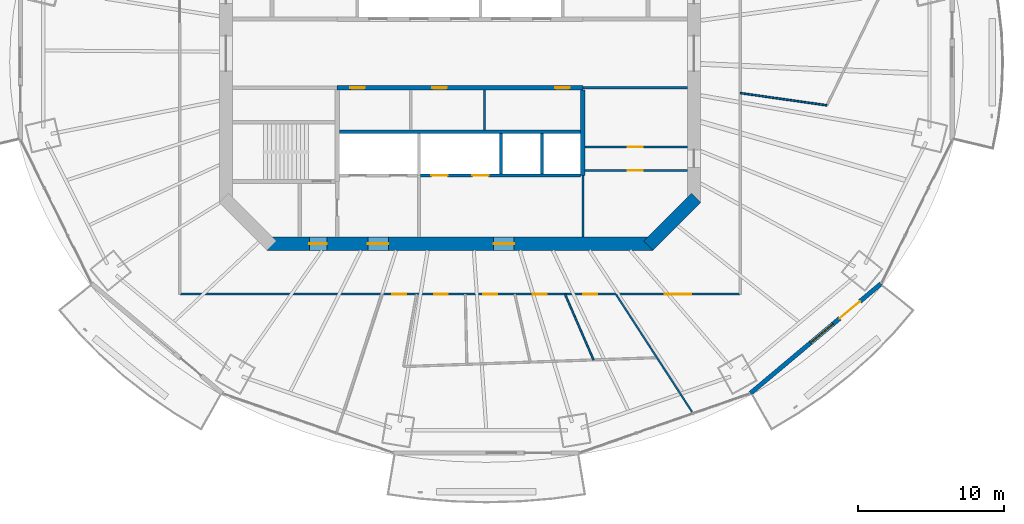
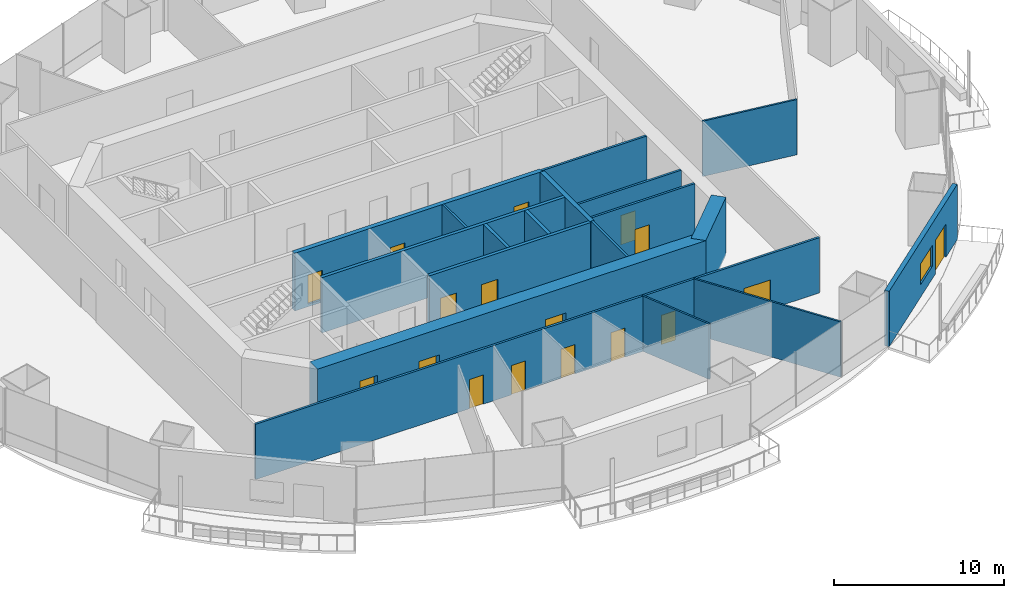
# One storey, part 12 of 20: 18 walls, 17 doors, 1 window, 18 openings.
"""IFC4 building model written with IfcOpenShell, lengths in metres."""

from ifc_helpers import new_model, si_unit, direction, frame, frame_2d, origin, place, context, subcontext, project, spatial, rectangle, extrude, material, layer, layer_set, type_object, element, fill, save


model = new_model("IFC4")

# Units and contexts
model_context = context("Model", 3, precision=1e-05, world=origin(), true_north=direction((0.0, 1.0)))
body_context = subcontext(model_context, "Body", "Model", "MODEL_VIEW")
ifc_project = project(units=[si_unit("LENGTHUNIT", "METRE"), si_unit("AREAUNIT", "SQUARE_METRE"), si_unit("VOLUMEUNIT", "CUBIC_METRE"), si_unit("PLANEANGLEUNIT", "RADIAN"), si_unit("MASSUNIT", "GRAM", prefix="KILO")], contexts=[model_context])

# Site, building, storey
site_placement = place(None, origin())
site = spatial("IfcSite", under=ifc_project, at=site_placement, CompositionType="ELEMENT")
building_placement = place(site_placement, origin())
building = spatial("IfcBuilding", under=site, at=building_placement, Name="Marenthal Gate Tower", CompositionType="ELEMENT")
storey_placement = place(building_placement, frame((0.0, 0.0, 177.64990234375)))
storey = spatial("IfcBuildingStorey", under=building, at=storey_placement, Name="L38", CompositionType="ELEMENT", Elevation=177.64990234375)

# Wall
ifc_material_1 = material(Name="Concrete 60 MPa", Category="concrete")
ifc_layer_1 = layer(ifc_material_1, 0.89990234375)
ifc_layer_set_1 = layer_set([ifc_layer_1], Name="Core shear wall 900")
wall_type_1 = type_object("IfcWallType", Name="Core shear wall 900", PredefinedType="SHEAR", material=ifc_layer_set_1)
wall_1_placement = place(storey_placement, frame((12.8681640625, -13.1318359375, -0.179931640625), z_axis=(0.0, 0.0, 1.0), x_axis=(0.707106781187, 0.707106781187, 0.0)))
element("IfcWall", 1, at=wall_1_placement, inside=storey, type_object=wall_type_1, Name="Core wall 01", PredefinedType="SHEAR", context=body_context, shape_type="SweptSolid", body=[
    extrude(rectangle(XDim=4.615478515625, YDim=0.89990234375, at=frame_2d((2.3076171875, 0.0))), origin(), (0.0, 0.0, 1.0), 4.150146484375),
])

# Wall, openings, doors
wall_2_placement = place(storey_placement, frame((-13.186279296875, -13.0, -0.179931640625), z_axis=(0.0, 0.0, 1.0), x_axis=(1.0, 0.0, 0.0)))
wall_2 = element("IfcWall", 2, at=wall_2_placement, inside=storey, type_object=wall_type_1, Name="Core wall 08", PredefinedType="SHEAR", context=body_context, shape_type="SweptSolid", body=[
    extrude(rectangle(XDim=26.37255859375, YDim=0.89990234375, at=frame_2d((13.186279296875, 0.0))), origin(), (0.0, 0.0, 1.0), 4.150146484375),
])
opening_1_placement = place(wall_2_placement, frame((2.886474609375, 0.0, 0.179931640625)))
opening_1 = element("IfcOpeningElement", 3, at=opening_1_placement, cuts=wall_2, Name="Opening D001.06", PredefinedType="OPENING", context=body_context, shape_type="SweptSolid", body=[
    extrude(rectangle(XDim=1.199951171875, YDim=2.10009765625, at=frame_2d((0.60009765625, 1.050048828125))), frame((0.0, 0.4599609375, 0.0), z_axis=(0.0, -1.0, 0.0), x_axis=(1.0, 0.0, 0.0)), (0.0, 0.0, 1.0), 0.919921875),
])
opening_2_placement = place(wall_2_placement, frame((6.886474609375, 0.0, 0.179931640625)))
opening_2 = element("IfcOpeningElement", 4, at=opening_2_placement, cuts=wall_2, Name="Opening D004.01", PredefinedType="OPENING", context=body_context, shape_type="SweptSolid", body=[
    extrude(rectangle(XDim=1.39990234375, YDim=2.10009765625, at=frame_2d((0.699951171875, 1.050048828125))), frame((0.0, 0.4599609375, 0.0), z_axis=(0.0, -1.0, 0.0), x_axis=(1.0, 0.0, 0.0)), (0.0, 0.0, 1.0), 0.919921875),
])
opening_3_placement = place(wall_2_placement, frame((15.486328125, 0.0, 0.179931640625)))
opening_3 = element("IfcOpeningElement", 5, at=opening_3_placement, cuts=wall_2, Name="Opening D004.02", PredefinedType="OPENING", context=body_context, shape_type="SweptSolid", body=[
    extrude(rectangle(XDim=1.39990234375, YDim=2.10009765625, at=frame_2d((0.699951171875, 1.050048828125))), frame((0.0, 0.4599609375, 0.0), z_axis=(0.0, -1.0, 0.0), x_axis=(1.0, 0.0, 0.0)), (0.0, 0.0, 1.0), 0.919921875),
])
ifc_material_2 = material(Name="Steel fire door", Category="steel")
door_type_1 = type_object("IfcDoorType", Name="Fire door FD 45 1400 x 2100", OperationType="NOTDEFINED", PredefinedType="DOOR", material=ifc_material_2)
door_1_placement = place(opening_2_placement, origin())
door_1 = element("IfcDoor", 6, at=door_1_placement, inside=storey, type_object=door_type_1, Name="Door D004.01", OperationType="SINGLE_SWING_RIGHT", OverallHeight=2.10009765625, OverallWidth=1.39990234375, PredefinedType="DOOR", context=body_context, shape_type="SweptSolid", body=[
    extrude(rectangle(XDim=1.39990234375, YDim=2.10009765625, at=frame_2d((0.699951171875, 1.050048828125))), frame((0.0, 0.02490234375, 0.0), z_axis=(0.0, -1.0, 0.0), x_axis=(1.0, 0.0, 0.0)), (0.0, 0.0, 1.0), 0.050048828125),
])
fill(opening_2, door_1)
door_2_placement = place(opening_3_placement, origin())
door_2 = element("IfcDoor", 7, at=door_2_placement, inside=storey, type_object=door_type_1, Name="Door D004.02", OperationType="SINGLE_SWING_RIGHT", OverallHeight=2.10009765625, OverallWidth=1.39990234375, PredefinedType="DOOR", context=body_context, shape_type="SweptSolid", body=[
    extrude(rectangle(XDim=1.39990234375, YDim=2.10009765625, at=frame_2d((0.699951171875, 1.050048828125))), frame((0.0, 0.02490234375, 0.0), z_axis=(0.0, -1.0, 0.0), x_axis=(1.0, 0.0, 0.0)), (0.0, 0.0, 1.0), 0.050048828125),
])
fill(opening_3, door_2)
ifc_material_3 = material(Name="Steel fire door", Category="steel")
door_type_2 = type_object("IfcDoorType", Name="Fire door FD 90 1200 x 2100", OperationType="NOTDEFINED", PredefinedType="DOOR", material=ifc_material_3)
door_3_placement = place(opening_1_placement, origin())
door_3 = element("IfcDoor", 8, at=door_3_placement, inside=storey, type_object=door_type_2, Name="Door D001.06", OperationType="SINGLE_SWING_RIGHT", OverallHeight=2.10009765625, OverallWidth=1.199951171875, PredefinedType="DOOR", context=body_context, shape_type="SweptSolid", body=[
    extrude(rectangle(XDim=1.199951171875, YDim=2.10009765625, at=frame_2d((0.60009765625, 1.050048828125))), frame((0.0, 0.02490234375, 0.0), z_axis=(0.0, -1.0, 0.0), x_axis=(1.0, 0.0, 0.0)), (0.0, 0.0, 1.0), 0.050048828125),
])
fill(opening_1, door_3)

ifc_material_4 = material(Name="Concrete 50 MPa", Category="concrete")
ifc_layer_2 = layer(ifc_material_4, 0.300048828125)
ifc_layer_set_2 = layer_set([ifc_layer_2], Name="Hoistway shear wall 300")
wall_type_2 = type_object("IfcWallType", Name="Hoistway shear wall 300", PredefinedType="SHEAR", material=ifc_layer_set_2)
wall_3_placement = place(storey_placement, frame((-8.39990234375, -2.35009765625, -0.179931640625), z_axis=(0.0, 0.0, 1.0), x_axis=(1.0, 0.0, 0.0)))
wall_3 = element("IfcWall", 9, at=wall_3_placement, inside=storey, type_object=wall_type_2, Name="Hoistway wall 17", PredefinedType="SHEAR", context=body_context, shape_type="SweptSolid", body=[
    extrude(rectangle(XDim=16.7998046875, YDim=0.300048828125, at=frame_2d((8.39990234375, 0.0))), origin(), (0.0, 0.0, 1.0), 4.150146484375),
])
opening_4_placement = place(wall_3_placement, frame((0.89990234375, 0.0, 0.179931640625)))
opening_4 = element("IfcOpeningElement", 10, at=opening_4_placement, cuts=wall_3, Name="Opening D005.01", PredefinedType="OPENING", context=body_context, shape_type="SweptSolid", body=[
    extrude(rectangle(XDim=1.0, YDim=2.10009765625, at=frame_2d((0.5, 1.050048828125))), frame((0.0, 0.16015625, 0.0), z_axis=(0.0, -1.0, 0.0), x_axis=(1.0, 0.0, 0.0)), (0.0, 0.0, 1.0), 0.320068359375),
])
opening_5_placement = place(wall_3_placement, frame((6.5, 0.0, 0.179931640625)))
opening_5 = element("IfcOpeningElement", 11, at=opening_5_placement, cuts=wall_3, Name="Opening D005.02", PredefinedType="OPENING", context=body_context, shape_type="SweptSolid", body=[
    extrude(rectangle(XDim=1.0, YDim=2.10009765625, at=frame_2d((0.5, 1.050048828125))), frame((0.0, 0.16015625, 0.0), z_axis=(0.0, -1.0, 0.0), x_axis=(1.0, 0.0, 0.0)), (0.0, 0.0, 1.0), 0.320068359375),
])
opening_6_placement = place(wall_3_placement, frame((14.89990234375, 0.0, 0.179931640625)))
opening_6 = element("IfcOpeningElement", 12, at=opening_6_placement, cuts=wall_3, Name="Opening D005.03", PredefinedType="OPENING", context=body_context, shape_type="SweptSolid", body=[
    extrude(rectangle(XDim=1.0, YDim=2.10009765625, at=frame_2d((0.5, 1.050048828125))), frame((0.0, 0.16015625, 0.0), z_axis=(0.0, -1.0, 0.0), x_axis=(1.0, 0.0, 0.0)), (0.0, 0.0, 1.0), 0.320068359375),
])
ifc_material_5 = material(Name="Steel fire door", Category="steel")
door_type_3 = type_object("IfcDoorType", Name="Fire door FD 45 1000 x 2100", OperationType="NOTDEFINED", PredefinedType="DOOR", material=ifc_material_5)
door_4_placement = place(opening_4_placement, frame((1.0, 0.0, 0.0), z_axis=(0.0, 0.0, 1.0), x_axis=(-1.0, 0.0, 0.0)))
door_4 = element("IfcDoor", 13, at=door_4_placement, inside=storey, type_object=door_type_3, Name="Door D005.01", OperationType="SINGLE_SWING_LEFT", OverallHeight=2.10009765625, OverallWidth=1.0, PredefinedType="DOOR", context=body_context, shape_type="SweptSolid", body=[
    extrude(rectangle(XDim=1.0, YDim=2.10009765625, at=frame_2d((0.5, 1.050048828125))), frame((0.0, 0.02490234375, 0.0), z_axis=(0.0, -1.0, 0.0), x_axis=(1.0, 0.0, 0.0)), (0.0, 0.0, 1.0), 0.050048828125),
])
fill(opening_4, door_4)
door_5_placement = place(opening_5_placement, frame((1.0, 0.0, 0.0), z_axis=(0.0, 0.0, 1.0), x_axis=(-1.0, 0.0, 0.0)))
door_5 = element("IfcDoor", 14, at=door_5_placement, inside=storey, type_object=door_type_3, Name="Door D005.02", OperationType="SINGLE_SWING_LEFT", OverallHeight=2.10009765625, OverallWidth=1.0, PredefinedType="DOOR", context=body_context, shape_type="SweptSolid", body=[
    extrude(rectangle(XDim=1.0, YDim=2.10009765625, at=frame_2d((0.5, 1.050048828125))), frame((0.0, 0.02490234375, 0.0), z_axis=(0.0, -1.0, 0.0), x_axis=(1.0, 0.0, 0.0)), (0.0, 0.0, 1.0), 0.050048828125),
])
fill(opening_5, door_5)
door_6_placement = place(opening_6_placement, frame((1.0, 0.0, 0.0), z_axis=(0.0, 0.0, 1.0), x_axis=(-1.0, 0.0, 0.0)))
door_6 = element("IfcDoor", 15, at=door_6_placement, inside=storey, type_object=door_type_3, Name="Door D005.03", OperationType="SINGLE_SWING_LEFT", OverallHeight=2.10009765625, OverallWidth=1.0, PredefinedType="DOOR", context=body_context, shape_type="SweptSolid", body=[
    extrude(rectangle(XDim=1.0, YDim=2.10009765625, at=frame_2d((0.5, 1.050048828125))), frame((0.0, 0.02490234375, 0.0), z_axis=(0.0, -1.0, 0.0), x_axis=(1.0, 0.0, 0.0)), (0.0, 0.0, 1.0), 0.050048828125),
])
fill(opening_6, door_6)

# Wall
wall_4_placement = place(storey_placement, frame((8.39990234375, -8.35009765625, -0.179931640625), z_axis=(0.0, 0.0, 1.0), x_axis=(0.0, 1.0, 0.0)))
element("IfcWall", 16, at=wall_4_placement, inside=storey, type_object=wall_type_2, Name="Hoistway wall 46", PredefinedType="SHEAR", context=body_context, shape_type="SweptSolid", body=[
    extrude(rectangle(XDim=5.85009765625, YDim=0.300048828125, at=frame_2d((2.925048828125, 0.0))), origin(), (0.0, 0.0, 1.0), 4.150146484375),
])

# Wall, openings, doors
ifc_material_6 = material(Name="Concrete 40 MPa", Category="concrete")
ifc_layer_3 = layer(ifc_material_6, 0.219970703125)
ifc_layer_set_3 = layer_set([ifc_layer_3], Name="Hoistway wall 220")
wall_type_3 = type_object("IfcWallType", Name="Hoistway wall 220", PredefinedType="STANDARD", material=ifc_layer_set_3)
wall_5_placement = place(storey_placement, frame((-2.68994140625, -8.35009765625, 0.0), z_axis=(0.0, 0.0, 1.0), x_axis=(1.0, 0.0, 0.0)))
wall_5 = element("IfcWall", 17, at=wall_5_placement, inside=storey, type_object=wall_type_3, Name="Hoistway wall 11", PredefinedType="STANDARD", context=body_context, shape_type="SweptSolid", body=[
    extrude(rectangle(XDim=10.93994140625, YDim=0.219970703125, at=frame_2d((5.469970703125, 0.0))), origin(), (0.0, 0.0, 1.0), 3.97021484375),
])
opening_7_placement = place(wall_5_placement, frame((0.739990234375, 0.0, 0.0)))
opening_7 = element("IfcOpeningElement", 18, at=opening_7_placement, cuts=wall_5, Name="Opening LD-SV1", PredefinedType="OPENING", context=body_context, shape_type="SweptSolid", body=[
    extrude(rectangle(XDim=1.10009765625, YDim=2.10009765625, at=frame_2d((0.550048828125, 1.050048828125))), frame((0.0, 0.1201171875, 0.0), z_axis=(0.0, -1.0, 0.0), x_axis=(1.0, 0.0, 0.0)), (0.0, 0.0, 1.0), 0.239990234375),
])
opening_8_placement = place(wall_5_placement, frame((3.5400390625, 0.0, 0.0)))
opening_8 = element("IfcOpeningElement", 19, at=opening_8_placement, cuts=wall_5, Name="Opening LD-SV2", PredefinedType="OPENING", context=body_context, shape_type="SweptSolid", body=[
    extrude(rectangle(XDim=1.10009765625, YDim=2.10009765625, at=frame_2d((0.550048828125, 1.050048828125))), frame((0.0, 0.1201171875, 0.0), z_axis=(0.0, -1.0, 0.0), x_axis=(1.0, 0.0, 0.0)), (0.0, 0.0, 1.0), 0.239990234375),
])
ifc_material_7 = material(Name="Stainless steel sliding door", Category="steel")
door_type_4 = type_object("IfcDoorType", Name="Lift landing door FD 90 1100 x 2100", OperationType="DOUBLE_DOOR_SLIDING", PredefinedType="DOOR", material=ifc_material_7)
door_7_placement = place(opening_7_placement, origin())
door_7 = element("IfcDoor", 20, at=door_7_placement, inside=storey, type_object=door_type_4, Name="Lift landing door SV1", OperationType="DOUBLE_DOOR_SLIDING", OverallHeight=2.10009765625, OverallWidth=1.10009765625, PredefinedType="DOOR", context=body_context, shape_type="SweptSolid", body=[
    extrude(rectangle(XDim=1.10009765625, YDim=2.10009765625, at=frame_2d((0.550048828125, 1.050048828125))), frame((0.0, 0.02490234375, 0.0), z_axis=(0.0, -1.0, 0.0), x_axis=(1.0, 0.0, 0.0)), (0.0, 0.0, 1.0), 0.050048828125),
])
fill(opening_7, door_7)
door_8_placement = place(opening_8_placement, origin())
door_8 = element("IfcDoor", 21, at=door_8_placement, inside=storey, type_object=door_type_4, Name="Lift landing door SV2", OperationType="DOUBLE_DOOR_SLIDING", OverallHeight=2.10009765625, OverallWidth=1.10009765625, PredefinedType="DOOR", context=body_context, shape_type="SweptSolid", body=[
    extrude(rectangle(XDim=1.10009765625, YDim=2.10009765625, at=frame_2d((0.550048828125, 1.050048828125))), frame((0.0, 0.02490234375, 0.0), z_axis=(0.0, -1.0, 0.0), x_axis=(1.0, 0.0, 0.0)), (0.0, 0.0, 1.0), 0.050048828125),
])
fill(opening_8, door_8)

# Walls
wall_6_placement = place(storey_placement, frame((-8.25, -5.35009765625, 0.0), z_axis=(0.0, 0.0, 1.0), x_axis=(1.0, 0.0, 0.0)))
element("IfcWall", 22, at=wall_6_placement, inside=storey, type_object=wall_type_3, Name="Hoistway wall 14", PredefinedType="STANDARD", context=body_context, shape_type="SweptSolid", body=[
    extrude(rectangle(XDim=16.5, YDim=0.219970703125, at=frame_2d((8.25, 0.0))), origin(), (0.0, 0.0, 1.0), 3.97021484375),
])
for number, where, z_axis, x_axis, name in (
    (23, (2.800048828125, -8.239990234375, 0.0), (0.0, 0.0, 1.0), (0.0, 1.0, 0.0), "Hoistway wall 40"),
    (24, (5.60009765625, -8.239990234375, 0.0), (0.0, 0.0, 1.0), (0.0, 1.0, 0.0), "Hoistway wall 43"),
):
    element("IfcWall", number, at=place(storey_placement, frame(where, z_axis=z_axis, x_axis=x_axis)), inside=storey, type_object=wall_type_3, Name=name, PredefinedType="STANDARD", context=body_context, shape_type="SweptSolid", body=[
        extrude(rectangle(XDim=2.780029296875, YDim=0.219970703125, at=frame_2d((1.39013671875, 0.0))), origin(), (0.0, 0.0, 1.0), 3.97021484375),
    ])
ifc_material_8 = material(Name="Gypsum board on steel studs", Category="steel")
ifc_layer_4 = layer(ifc_material_8, 0.1201171875)
ifc_layer_set_4 = layer_set([ifc_layer_4], Name="Partition 120")
wall_type_4 = type_object("IfcWallType", Name="Partition 120", PredefinedType="PARTITIONING", material=ifc_layer_set_4)
wall_7_placement = place(storey_placement, frame((9.12939453125, -20.9423828125, 0.0), z_axis=(0.0, 0.0, 1.0), x_axis=(-0.399629429377, 0.916676780101, 0.0)))
element("IfcWall", 25, at=wall_7_placement, inside=storey, type_object=wall_type_4, Name="Partition wall 61", PredefinedType="PARTITIONING", context=body_context, shape_type="SweptSolid", body=[
    extrude(rectangle(XDim=4.90087890625, YDim=0.1201171875, at=frame_2d((2.450439453125, 0.0))), origin(), (0.0, 0.0, 1.0), 3.97021484375),
])
wall_8_placement = place(storey_placement, frame((10.649169921875, -16.449951171875, 0.0), z_axis=(0.0, 0.0, 1.0), x_axis=(0.5434327779, -0.839452688306, 0.0)))
element("IfcWall", 26, at=wall_8_placement, inside=storey, type_object=wall_type_4, Name="Partition wall 62", PredefinedType="PARTITIONING", context=body_context, shape_type="SweptSolid", body=[
    extrude(rectangle(XDim=9.703857421875, YDim=0.1201171875, at=frame_2d((4.85205078125, 0.0))), origin(), (0.0, 0.0, 1.0), 3.97021484375),
])
wall_9_placement = place(storey_placement, frame((25.072998046875, -3.546630859375, 0.0), z_axis=(0.0, 0.0, 1.0), x_axis=(-0.990142016785, 0.140067078917, 0.0)))
element("IfcWall", 27, at=wall_9_placement, inside=storey, type_object=wall_type_4, Name="Partition wall 68", PredefinedType="PARTITIONING", context=body_context, shape_type="SweptSolid", body=[
    extrude(rectangle(XDim=5.982177734375, YDim=0.1201171875, at=frame_2d((2.9912109375, 0.0))), origin(), (0.0, 0.0, 1.0), 3.97021484375),
])

# Wall, opening, door
ifc_material_9 = material(Name="Gypsum board on steel studs", Category="steel")
ifc_layer_5 = layer(ifc_material_9, 0.14990234375)
ifc_layer_set_5 = layer_set([ifc_layer_5], Name="Partition 150")
wall_type_5 = type_object("IfcWallType", Name="Partition 150", PredefinedType="PARTITIONING", material=ifc_layer_set_5)
wall_10_placement = place(storey_placement, frame((8.550048828125, -8.0, 0.0), z_axis=(0.0, 0.0, 1.0), x_axis=(1.0, 0.0, 0.0)))
wall_10 = element("IfcWall", 28, at=wall_10_placement, inside=storey, type_object=wall_type_5, Name="Partition wall 12", PredefinedType="PARTITIONING", context=body_context, shape_type="SweptSolid", body=[
    extrude(rectangle(XDim=7.0, YDim=0.14990234375, at=frame_2d((3.5, 0.0))), origin(), (0.0, 0.0, 1.0), 3.97021484375),
])
opening_9_placement = place(wall_10_placement, frame((2.925048828125, 0.0, 0.0)))
opening_9 = element("IfcOpeningElement", 29, at=opening_9_placement, cuts=wall_10, Name="Opening D005.07", PredefinedType="OPENING", context=body_context, shape_type="SweptSolid", body=[
    extrude(rectangle(XDim=1.0, YDim=2.10009765625, at=frame_2d((0.5, 1.050048828125))), frame((0.0, 0.0849609375, 0.0), z_axis=(0.0, -1.0, 0.0), x_axis=(1.0, 0.0, 0.0)), (0.0, 0.0, 1.0), 0.169921875),
])
door_9_placement = place(opening_9_placement, frame((1.0, 0.0, 0.0), z_axis=(0.0, 0.0, 1.0), x_axis=(-1.0, 0.0, 0.0)))
door_9 = element("IfcDoor", 30, at=door_9_placement, inside=storey, type_object=door_type_3, Name="Door D005.07", OperationType="SINGLE_SWING_LEFT", OverallHeight=2.10009765625, OverallWidth=1.0, PredefinedType="DOOR", context=body_context, shape_type="SweptSolid", body=[
    extrude(rectangle(XDim=1.0, YDim=2.10009765625, at=frame_2d((0.5, 1.050048828125))), frame((0.0, 0.02490234375, 0.0), z_axis=(0.0, -1.0, 0.0), x_axis=(1.0, 0.0, 0.0)), (0.0, 0.0, 1.0), 0.050048828125),
])
fill(opening_9, door_9)

wall_11_placement = place(storey_placement, frame((8.550048828125, -6.39990234375, 0.0), z_axis=(0.0, 0.0, 1.0), x_axis=(1.0, 0.0, 0.0)))
wall_11 = element("IfcWall", 31, at=wall_11_placement, inside=storey, type_object=wall_type_5, Name="Partition wall 13", PredefinedType="PARTITIONING", context=body_context, shape_type="SweptSolid", body=[
    extrude(rectangle(XDim=7.0, YDim=0.14990234375, at=frame_2d((3.5, 0.0))), origin(), (0.0, 0.0, 1.0), 3.97021484375),
])
opening_10_placement = place(wall_11_placement, frame((2.925048828125, 0.0, 0.0)))
opening_10 = element("IfcOpeningElement", 32, at=opening_10_placement, cuts=wall_11, Name="Opening D005.06", PredefinedType="OPENING", context=body_context, shape_type="SweptSolid", body=[
    extrude(rectangle(XDim=1.0, YDim=2.10009765625, at=frame_2d((0.5, 1.050048828125))), frame((0.0, 0.0849609375, 0.0), z_axis=(0.0, -1.0, 0.0), x_axis=(1.0, 0.0, 0.0)), (0.0, 0.0, 1.0), 0.169921875),
])
door_10_placement = place(opening_10_placement, origin())
door_10 = element("IfcDoor", 33, at=door_10_placement, inside=storey, type_object=door_type_3, Name="Door D005.06", OperationType="SINGLE_SWING_RIGHT", OverallHeight=2.10009765625, OverallWidth=1.0, PredefinedType="DOOR", context=body_context, shape_type="SweptSolid", body=[
    extrude(rectangle(XDim=1.0, YDim=2.10009765625, at=frame_2d((0.5, 1.050048828125))), frame((0.0, 0.02490234375, 0.0), z_axis=(0.0, -1.0, 0.0), x_axis=(1.0, 0.0, 0.0)), (0.0, 0.0, 1.0), 0.050048828125),
])
fill(opening_10, door_10)

# Walls
wall_12_placement = place(storey_placement, frame((8.39990234375, -2.35009765625, 0.0), z_axis=(0.0, 0.0, 1.0), x_axis=(1.0, 0.0, 0.0)))
element("IfcWall", 34, at=wall_12_placement, inside=storey, type_object=wall_type_5, Name="Partition wall 18", PredefinedType="PARTITIONING", context=body_context, shape_type="SweptSolid", body=[
    extrude(rectangle(XDim=7.150146484375, YDim=0.14990234375, at=frame_2d((3.5751953125, 0.0))), origin(), (0.0, 0.0, 1.0), 3.97021484375),
])
wall_13_placement = place(storey_placement, frame((1.679931640625, -5.239990234375, 0.0), z_axis=(0.0, 0.0, 1.0), x_axis=(0.0, 1.0, 0.0)))
element("IfcWall", 35, at=wall_13_placement, inside=storey, type_object=wall_type_5, Name="Partition wall 39", PredefinedType="PARTITIONING", context=body_context, shape_type="SweptSolid", body=[
    extrude(rectangle(XDim=2.739990234375, YDim=0.14990234375, at=frame_2d((1.3701171875, 0.0))), origin(), (0.0, 0.0, 1.0), 3.97021484375),
])
wall_14_placement = place(storey_placement, frame((8.39990234375, -12.550048828125, 0.0), z_axis=(0.0, 0.0, 1.0), x_axis=(0.0, 1.0, 0.0)))
element("IfcWall", 36, at=wall_14_placement, inside=storey, type_object=wall_type_5, Name="Partition wall 45", PredefinedType="PARTITIONING", context=body_context, shape_type="SweptSolid", body=[
    extrude(rectangle(XDim=4.199951171875, YDim=0.14990234375, at=frame_2d((2.10009765625, 0.0))), origin(), (0.0, 0.0, 1.0), 3.97021484375),
])

# Wall, openings, doors
wall_15_placement = place(storey_placement, frame((19.14990234375, -16.449951171875, 0.0), z_axis=(0.0, 0.0, 1.0), x_axis=(-1.0, 0.0, 0.0)))
wall_15 = element("IfcWall", 37, at=wall_15_placement, inside=storey, type_object=wall_type_5, Name="Partition wall 65", PredefinedType="PARTITIONING", context=body_context, shape_type="SweptSolid", body=[
    extrude(rectangle(XDim=38.2998046875, YDim=0.14990234375, at=frame_2d((19.14990234375, 0.0))), origin(), (0.0, 0.0, 1.0), 3.97021484375),
])
opening_11_placement = place(wall_15_placement, frame((19.97607421875, 0.0, 0.0)))
opening_11 = element("IfcOpeningElement", 38, at=opening_11_placement, cuts=wall_15, Name="Opening D016.01", PredefinedType="OPENING", context=body_context, shape_type="SweptSolid", body=[
    extrude(rectangle(XDim=0.949951171875, YDim=2.10009765625, at=frame_2d((0.47509765625, 1.050048828125))), frame((0.0, 0.0849609375, 0.0), z_axis=(0.0, -1.0, 0.0), x_axis=(1.0, 0.0, 0.0)), (0.0, 0.0, 1.0), 0.169921875),
])
opening_12_placement = place(wall_15_placement, frame((16.62109375, 0.0, 0.0)))
opening_12 = element("IfcOpeningElement", 39, at=opening_12_placement, cuts=wall_15, Name="Opening D016.02", PredefinedType="OPENING", context=body_context, shape_type="SweptSolid", body=[
    extrude(rectangle(XDim=0.949951171875, YDim=2.10009765625, at=frame_2d((0.47509765625, 1.050048828125))), frame((0.0, 0.0849609375, 0.0), z_axis=(0.0, -1.0, 0.0), x_axis=(1.0, 0.0, 0.0)), (0.0, 0.0, 1.0), 0.169921875),
])
opening_13_placement = place(wall_15_placement, frame((13.218017578125, 0.0, 0.0)))
opening_13 = element("IfcOpeningElement", 40, at=opening_13_placement, cuts=wall_15, Name="Opening D016.03", PredefinedType="OPENING", context=body_context, shape_type="SweptSolid", body=[
    extrude(rectangle(XDim=0.949951171875, YDim=2.10009765625, at=frame_2d((0.47509765625, 1.050048828125))), frame((0.0, 0.0849609375, 0.0), z_axis=(0.0, -1.0, 0.0), x_axis=(1.0, 0.0, 0.0)), (0.0, 0.0, 1.0), 0.169921875),
])
opening_14_placement = place(wall_15_placement, frame((9.764892578125, 0.0, 0.0)))
opening_14 = element("IfcOpeningElement", 41, at=opening_14_placement, cuts=wall_15, Name="Opening D016.04", PredefinedType="OPENING", context=body_context, shape_type="SweptSolid", body=[
    extrude(rectangle(XDim=0.949951171875, YDim=2.10009765625, at=frame_2d((0.47509765625, 1.050048828125))), frame((0.0, 0.0849609375, 0.0), z_axis=(0.0, -1.0, 0.0), x_axis=(1.0, 0.0, 0.0)), (0.0, 0.0, 1.0), 0.169921875),
])
opening_15_placement = place(wall_15_placement, frame((22.833984375, 0.0, 0.0)))
opening_15 = element("IfcOpeningElement", 42, at=opening_15_placement, cuts=wall_15, Name="Opening D016.05", PredefinedType="OPENING", context=body_context, shape_type="SweptSolid", body=[
    extrude(rectangle(XDim=0.949951171875, YDim=2.10009765625, at=frame_2d((0.47509765625, 1.050048828125))), frame((0.0, 0.0849609375, 0.0), z_axis=(0.0, -1.0, 0.0), x_axis=(1.0, 0.0, 0.0)), (0.0, 0.0, 1.0), 0.169921875),
])
opening_16_placement = place(wall_15_placement, frame((3.35009765625, 0.0, 0.0)))
opening_16 = element("IfcOpeningElement", 43, at=opening_16_placement, cuts=wall_15, Name="Opening D014.03", PredefinedType="OPENING", context=body_context, shape_type="SweptSolid", body=[
    extrude(rectangle(XDim=1.800048828125, YDim=2.10009765625, at=frame_2d((0.89990234375, 1.050048828125))), frame((0.0, 0.0849609375, 0.0), z_axis=(0.0, -1.0, 0.0), x_axis=(1.0, 0.0, 0.0)), (0.0, 0.0, 1.0), 0.169921875),
])
ifc_material_10 = material(Name="Timber door", Category="wood")
door_type_5 = type_object("IfcDoorType", Name="Door 950 x 2100", OperationType="NOTDEFINED", PredefinedType="DOOR", material=ifc_material_10)
door_11_placement = place(opening_11_placement, origin())
door_11 = element("IfcDoor", 44, at=door_11_placement, inside=storey, type_object=door_type_5, Name="Door D016.01", OperationType="SINGLE_SWING_RIGHT", OverallHeight=2.10009765625, OverallWidth=0.949951171875, PredefinedType="DOOR", context=body_context, shape_type="SweptSolid", body=[
    extrude(rectangle(XDim=0.949951171875, YDim=2.10009765625, at=frame_2d((0.47509765625, 1.050048828125))), frame((0.0, 0.02490234375, 0.0), z_axis=(0.0, -1.0, 0.0), x_axis=(1.0, 0.0, 0.0)), (0.0, 0.0, 1.0), 0.050048828125),
])
fill(opening_11, door_11)
door_12_placement = place(opening_12_placement, origin())
door_12 = element("IfcDoor", 45, at=door_12_placement, inside=storey, type_object=door_type_5, Name="Door D016.02", OperationType="SINGLE_SWING_RIGHT", OverallHeight=2.10009765625, OverallWidth=0.949951171875, PredefinedType="DOOR", context=body_context, shape_type="SweptSolid", body=[
    extrude(rectangle(XDim=0.949951171875, YDim=2.10009765625, at=frame_2d((0.47509765625, 1.050048828125))), frame((0.0, 0.02490234375, 0.0), z_axis=(0.0, -1.0, 0.0), x_axis=(1.0, 0.0, 0.0)), (0.0, 0.0, 1.0), 0.050048828125),
])
fill(opening_12, door_12)
door_13_placement = place(opening_13_placement, origin())
door_13 = element("IfcDoor", 46, at=door_13_placement, inside=storey, type_object=door_type_5, Name="Door D016.03", OperationType="SINGLE_SWING_RIGHT", OverallHeight=2.10009765625, OverallWidth=0.949951171875, PredefinedType="DOOR", context=body_context, shape_type="SweptSolid", body=[
    extrude(rectangle(XDim=0.949951171875, YDim=2.10009765625, at=frame_2d((0.47509765625, 1.050048828125))), frame((0.0, 0.02490234375, 0.0), z_axis=(0.0, -1.0, 0.0), x_axis=(1.0, 0.0, 0.0)), (0.0, 0.0, 1.0), 0.050048828125),
])
fill(opening_13, door_13)
door_14_placement = place(opening_14_placement, origin())
door_14 = element("IfcDoor", 47, at=door_14_placement, inside=storey, type_object=door_type_5, Name="Door D016.04", OperationType="SINGLE_SWING_RIGHT", OverallHeight=2.10009765625, OverallWidth=0.949951171875, PredefinedType="DOOR", context=body_context, shape_type="SweptSolid", body=[
    extrude(rectangle(XDim=0.949951171875, YDim=2.10009765625, at=frame_2d((0.47509765625, 1.050048828125))), frame((0.0, 0.02490234375, 0.0), z_axis=(0.0, -1.0, 0.0), x_axis=(1.0, 0.0, 0.0)), (0.0, 0.0, 1.0), 0.050048828125),
])
fill(opening_14, door_14)
door_15_placement = place(opening_15_placement, origin())
door_15 = element("IfcDoor", 48, at=door_15_placement, inside=storey, type_object=door_type_5, Name="Door D016.05", OperationType="SINGLE_SWING_RIGHT", OverallHeight=2.10009765625, OverallWidth=0.949951171875, PredefinedType="DOOR", context=body_context, shape_type="SweptSolid", body=[
    extrude(rectangle(XDim=0.949951171875, YDim=2.10009765625, at=frame_2d((0.47509765625, 1.050048828125))), frame((0.0, 0.02490234375, 0.0), z_axis=(0.0, -1.0, 0.0), x_axis=(1.0, 0.0, 0.0)), (0.0, 0.0, 1.0), 0.050048828125),
])
fill(opening_15, door_15)
ifc_material_11 = material(Name="Timber door", Category="wood")
door_type_6 = type_object("IfcDoorType", Name="Double door 1800 x 2100", OperationType="DOUBLE_DOOR_SINGLE_SWING", PredefinedType="DOOR", material=ifc_material_11)
door_16_placement = place(opening_16_placement, origin())
door_16 = element("IfcDoor", 49, at=door_16_placement, inside=storey, type_object=door_type_6, Name="Door D014.03", OperationType="DOUBLE_DOOR_SINGLE_SWING", OverallHeight=2.10009765625, OverallWidth=1.800048828125, PredefinedType="DOOR", context=body_context, shape_type="SweptSolid", body=[
    extrude(rectangle(XDim=1.800048828125, YDim=2.10009765625, at=frame_2d((0.89990234375, 1.050048828125))), frame((0.0, 0.02490234375, 0.0), z_axis=(0.0, -1.0, 0.0), x_axis=(1.0, 0.0, 0.0)), (0.0, 0.0, 1.0), 0.050048828125),
])
fill(opening_16, door_16)

# Wall, openings, door, window
ifc_material_12 = material(Name="Terracotta cladding on insulated concrete-block backing", Category="masonry")
ifc_layer_6 = layer(ifc_material_12, 0.300048828125)
ifc_layer_set_6 = layer_set([ifc_layer_6], Name="Terracotta facade wall 300")
wall_type_6 = type_object("IfcWallType", Name="Terracotta facade wall 300", PredefinedType="SOLIDWALL", material=ifc_layer_set_6)
wall_16_placement = place(storey_placement, frame((19.83203125, -23.237548828125, 0.0), z_axis=(0.0, 0.0, 1.0), x_axis=(0.766159362154, 0.642650629645, 0.0)))
wall_16 = element("IfcWall", 50, at=wall_16_placement, inside=storey, type_object=wall_type_6, Name="Terracotta facade wall L38 bay 14", PredefinedType="SOLIDWALL", context=body_context, shape_type="SweptSolid", body=[
    extrude(rectangle(XDim=11.688232421875, YDim=0.300048828125, at=frame_2d((5.84423828125, 0.0))), origin(), (0.0, 0.0, 1.0), 3.97021484375),
])
opening_17_placement = place(wall_16_placement, frame((7.98828125, 0.0, 0.0)))
opening_17 = element("IfcOpeningElement", 51, at=opening_17_placement, cuts=wall_16, Name="Opening BD-L38-14", PredefinedType="OPENING", context=body_context, shape_type="SweptSolid", body=[
    extrude(rectangle(XDim=1.800048828125, YDim=2.39990234375, at=frame_2d((0.89990234375, 1.199951171875))), frame((0.0, 0.16015625, 0.0), z_axis=(0.0, -1.0, 0.0), x_axis=(1.0, 0.0, 0.0)), (0.0, 0.0, 1.0), 0.320068359375),
])
opening_18_placement = place(wall_16_placement, frame((5.38818359375, 0.0, 0.89990234375)))
opening_18 = element("IfcOpeningElement", 52, at=opening_18_placement, cuts=wall_16, Name="Opening WN2-L38-14", PredefinedType="OPENING", context=body_context, shape_type="SweptSolid", body=[
    extrude(rectangle(XDim=2.0, YDim=1.5, at=frame_2d((1.0, 0.75))), frame((0.0, 0.16015625, 0.0), z_axis=(0.0, -1.0, 0.0), x_axis=(1.0, 0.0, 0.0)), (0.0, 0.0, 1.0), 0.320068359375),
])
ifc_material_13 = material(Name="Aluminium and glass", Category="aluminium")
door_type_7 = type_object("IfcDoorType", Name="Balcony door 1800x2400", OperationType="DOUBLE_DOOR_SINGLE_SWING", PredefinedType="DOOR", material=ifc_material_13)
door_17_placement = place(opening_17_placement, origin())
door_17 = element("IfcDoor", 53, at=door_17_placement, inside=storey, type_object=door_type_7, Name="Balcony door L38 bay 14", OperationType="SINGLE_SWING_LEFT", OverallHeight=2.39990234375, OverallWidth=1.800048828125, PredefinedType="DOOR", context=body_context, shape_type="SweptSolid", body=[
    extrude(rectangle(XDim=1.800048828125, YDim=2.39990234375, at=frame_2d((0.89990234375, 1.199951171875))), frame((0.0, 0.02490234375, 0.0), z_axis=(0.0, -1.0, 0.0), x_axis=(1.0, 0.0, 0.0)), (0.0, 0.0, 1.0), 0.050048828125),
])
fill(opening_17, door_17)
ifc_material_14 = material(Name="Aluminium and glass", Category="aluminium")
window_type = type_object("IfcWindowType", Name="Window 2000x1500", PartitioningType="DOUBLE_PANEL_VERTICAL", PredefinedType="WINDOW", material=ifc_material_14)
window_placement = place(opening_18_placement, origin())
window = element("IfcWindow", 54, at=window_placement, inside=storey, type_object=window_type, Name="Window L38 bay 14", OverallHeight=1.5, OverallWidth=2.0, PartitioningType="SINGLE_PANEL", PredefinedType="WINDOW", context=body_context, shape_type="SweptSolid", body=[
    extrude(rectangle(XDim=2.0, YDim=1.5, at=frame_2d((1.0, 0.75))), frame((0.0, 0.030029296875, 0.0), z_axis=(0.0, -1.0, 0.0), x_axis=(1.0, 0.0, 0.0)), (0.0, 0.0, 1.0), 0.06005859375),
])
fill(opening_18, window)

save(model, "model.ifc")
